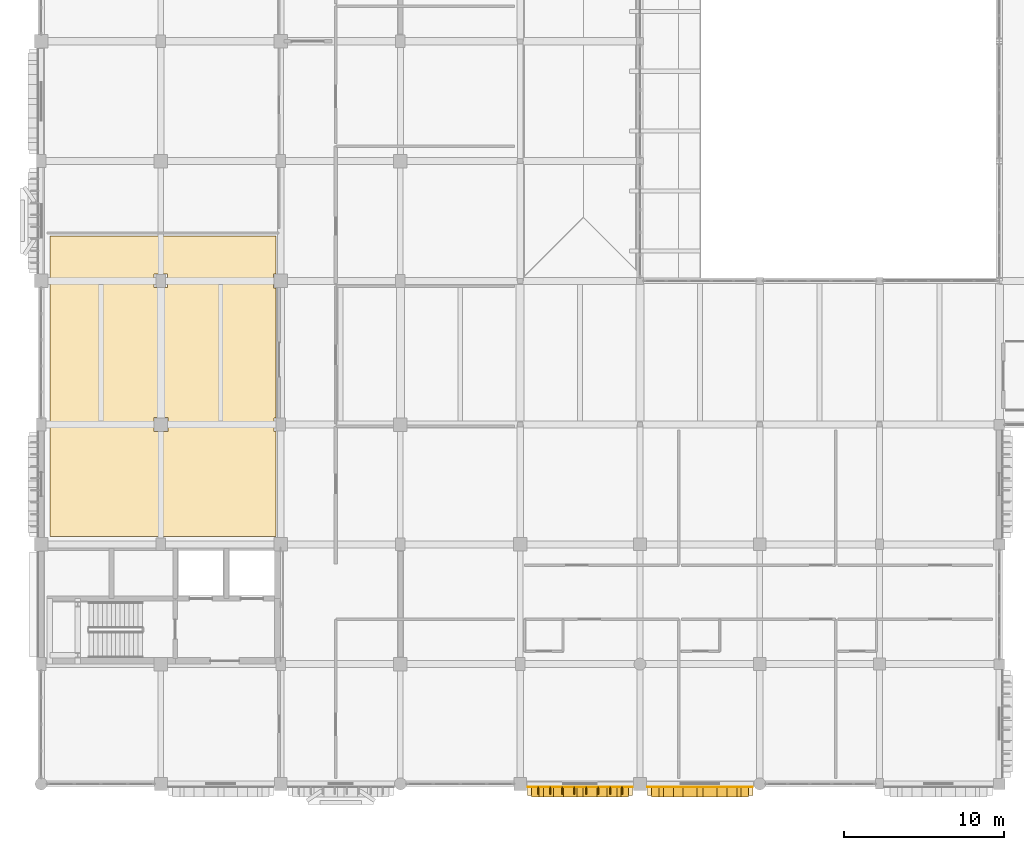
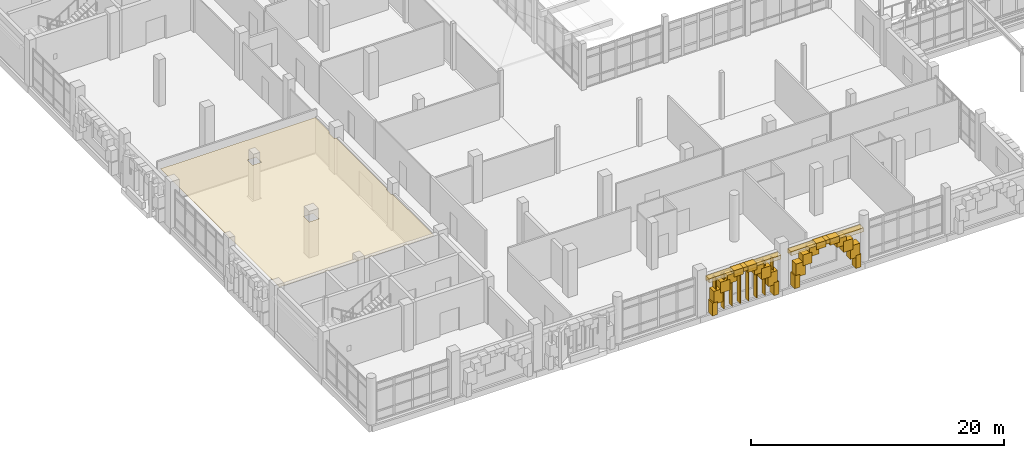
# One storey, part 108 of 128: 27 coverings, 8 shading devices.
"""IFC4 building model written with IfcOpenShell, lengths in metres."""

from ifc_helpers import new_model, si_unit, direction, frame, origin, origin_2d, place, context, subcontext, project, spatial, polyline, rectangle, outline, extrude, material, layer, layer_set, type_object, element, save


model = new_model("IFC4")

# Units and contexts
model_context = context("Model", 3, precision=1e-05, world=origin(), true_north=direction((0.0, 1.0)))
body_context = subcontext(model_context, "Body", "Model", "MODEL_VIEW")
ifc_project = project(units=[si_unit("LENGTHUNIT", "METRE"), si_unit("AREAUNIT", "SQUARE_METRE"), si_unit("VOLUMEUNIT", "CUBIC_METRE"), si_unit("PLANEANGLEUNIT", "RADIAN"), si_unit("MASSUNIT", "GRAM", prefix="KILO")], contexts=[model_context])

# Site, building, storey
site_placement = place(None, origin())
site = spatial("IfcSite", under=ifc_project, at=site_placement, CompositionType="ELEMENT")
building_placement = place(site_placement, origin())
building = spatial("IfcBuilding", under=site, at=building_placement, Name="Dalvernix Boulevard General Hospital", CompositionType="ELEMENT")
storey_placement = place(building_placement, frame((0.0, 0.0, 4.800048828125)))
storey = spatial("IfcBuildingStorey", under=building, at=storey_placement, Name="L01", CompositionType="ELEMENT", Elevation=4.800048828125)

# Coverings
ifc_material_1 = material(Name="Pressed Catalan clay brick and dressed limestone parabolic archivolt", Category="masonry")
ifc_layer_1 = layer(ifc_material_1, 0.419921875)
ifc_layer_set_1 = layer_set([ifc_layer_1], Name="Pressed Catalan clay brick and dressed limestone parabolic archivolt (COV-ARC-01)")
covering_type_1 = type_object("IfcCoveringType", Name="COV-ARC-01", PredefinedType="CLADDING", material=ifc_layer_set_1)
for number, where, z_axis, x_axis, name in (
    (1, (36.550048828125, -0.485107421875, 0.0), (0.0, 0.0, 1.0), (-1.0, 0.0, 0.0), "L01 Catalan parabolic arch impost pier S 4-0-L"),
    (2, (30.949951171875, -0.485107421875, 0.0), (0.0, 0.0, 1.0), (-1.0, 0.0, 0.0), "L01 Catalan parabolic arch impost pier S 4-0-R"),
):
    element("IfcCovering", number, at=place(storey_placement, frame(where, z_axis=z_axis, x_axis=x_axis)), inside=storey, type_object=covering_type_1, Name=name, PredefinedType="CLADDING", context=body_context, shape_type="SweptSolid", body=[
        extrude(rectangle(XDim=0.4599609375, YDim=0.659912109375, at=origin_2d()), origin(), (0.0, 0.0, 1.0), 1.25),
    ])
covering_1_placement = place(storey_placement, frame((36.239013671875, -0.485107421875, 1.06005859375), z_axis=(0.0, 0.0, 1.0), x_axis=(-1.0, 0.0, 0.0)))
element("IfcCovering", 3, at=covering_1_placement, inside=storey, type_object=covering_type_1, Name="L01 Catalan parabolic archivolt voussoir S 4-0-1", PredefinedType="CLADDING", context=body_context, shape_type="SweptSolid", body=[
    extrude(rectangle(XDim=0.8623046875, YDim=0.659912109375, at=origin_2d()), origin(), (0.0, 0.0, 1.0), 1.272705078125),
])
covering_2_placement = place(storey_placement, frame((35.61669921875, -0.485107421875, 1.95263671875), z_axis=(0.0, 0.0, 1.0), x_axis=(-1.0, 0.0, 0.0)))
element("IfcCovering", 4, at=covering_2_placement, inside=storey, type_object=covering_type_1, Name="L01 Catalan parabolic archivolt voussoir S 4-0-2", PredefinedType="CLADDING", context=body_context, shape_type="SweptSolid", body=[
    extrude(rectangle(XDim=0.8623046875, YDim=0.659912109375, at=origin_2d()), origin(), (0.0, 0.0, 1.0), 1.049560546875),
])
covering_3_placement = place(storey_placement, frame((34.994384765625, -0.485107421875, 2.62255859375), z_axis=(0.0, 0.0, 1.0), x_axis=(-1.0, 0.0, 0.0)))
element("IfcCovering", 5, at=covering_3_placement, inside=storey, type_object=covering_type_1, Name="L01 Catalan parabolic archivolt voussoir S 4-0-3", PredefinedType="CLADDING", context=body_context, shape_type="SweptSolid", body=[
    extrude(rectangle(XDim=0.8623046875, YDim=0.659912109375, at=origin_2d()), origin(), (0.0, 0.0, 1.0), 0.826416015625),
])
covering_4_placement = place(storey_placement, frame((34.372314453125, -0.485107421875, 3.06884765625), z_axis=(0.0, 0.0, 1.0), x_axis=(-1.0, 0.0, 0.0)))
element("IfcCovering", 6, at=covering_4_placement, inside=storey, type_object=covering_type_1, Name="L01 Catalan parabolic archivolt voussoir S 4-0-4", PredefinedType="CLADDING", context=body_context, shape_type="SweptSolid", body=[
    extrude(rectangle(XDim=0.8623046875, YDim=0.659912109375, at=origin_2d()), origin(), (0.0, 0.0, 1.0), 0.603271484375),
])
covering_5_placement = place(storey_placement, frame((33.75, -0.485107421875, 3.2919921875), z_axis=(0.0, 0.0, 1.0), x_axis=(-1.0, 0.0, 0.0)))
element("IfcCovering", 7, at=covering_5_placement, inside=storey, type_object=covering_type_1, Name="L01 Catalan parabolic archivolt voussoir S 4-0-5", PredefinedType="CLADDING", context=body_context, shape_type="SweptSolid", body=[
    extrude(rectangle(XDim=0.8623046875, YDim=0.659912109375, at=origin_2d()), origin(), (0.0, 0.0, 1.0), 0.3798828125),
])
covering_6_placement = place(storey_placement, frame((33.127685546875, -0.485107421875, 3.06884765625), z_axis=(0.0, 0.0, 1.0), x_axis=(-1.0, 0.0, 0.0)))
element("IfcCovering", 8, at=covering_6_placement, inside=storey, type_object=covering_type_1, Name="L01 Catalan parabolic archivolt voussoir S 4-0-6", PredefinedType="CLADDING", context=body_context, shape_type="SweptSolid", body=[
    extrude(rectangle(XDim=0.8623046875, YDim=0.659912109375, at=origin_2d()), origin(), (0.0, 0.0, 1.0), 0.603271484375),
])
covering_7_placement = place(storey_placement, frame((32.505615234375, -0.485107421875, 2.62255859375), z_axis=(0.0, 0.0, 1.0), x_axis=(-1.0, 0.0, 0.0)))
element("IfcCovering", 9, at=covering_7_placement, inside=storey, type_object=covering_type_1, Name="L01 Catalan parabolic archivolt voussoir S 4-0-7", PredefinedType="CLADDING", context=body_context, shape_type="SweptSolid", body=[
    extrude(rectangle(XDim=0.8623046875, YDim=0.659912109375, at=origin_2d()), origin(), (0.0, 0.0, 1.0), 0.826416015625),
])
covering_8_placement = place(storey_placement, frame((31.88330078125, -0.485107421875, 1.95263671875), z_axis=(0.0, 0.0, 1.0), x_axis=(-1.0, 0.0, 0.0)))
element("IfcCovering", 10, at=covering_8_placement, inside=storey, type_object=covering_type_1, Name="L01 Catalan parabolic archivolt voussoir S 4-0-8", PredefinedType="CLADDING", context=body_context, shape_type="SweptSolid", body=[
    extrude(rectangle(XDim=0.8623046875, YDim=0.659912109375, at=origin_2d()), origin(), (0.0, 0.0, 1.0), 1.049560546875),
])
covering_9_placement = place(storey_placement, frame((31.260986328125, -0.485107421875, 1.06005859375), z_axis=(0.0, 0.0, 1.0), x_axis=(-1.0, 0.0, 0.0)))
element("IfcCovering", 11, at=covering_9_placement, inside=storey, type_object=covering_type_1, Name="L01 Catalan parabolic archivolt voussoir S 4-0-9", PredefinedType="CLADDING", context=body_context, shape_type="SweptSolid", body=[
    extrude(rectangle(XDim=0.8623046875, YDim=0.659912109375, at=origin_2d()), origin(), (0.0, 0.0, 1.0), 1.272705078125),
])
for number, where, z_axis, x_axis, name in (
    (12, (44.0625, -0.485107421875, 0.0), (0.0, 0.0, 1.0), (-1.0, 0.0, 0.0), "L01 Catalan parabolic arch impost pier S 5-0-L"),
    (13, (38.46240234375, -0.485107421875, 0.0), (0.0, 0.0, 1.0), (-1.0, 0.0, 0.0), "L01 Catalan parabolic arch impost pier S 5-0-R"),
):
    element("IfcCovering", number, at=place(storey_placement, frame(where, z_axis=z_axis, x_axis=x_axis)), inside=storey, type_object=covering_type_1, Name=name, PredefinedType="CLADDING", context=body_context, shape_type="SweptSolid", body=[
        extrude(rectangle(XDim=0.4599609375, YDim=0.659912109375, at=origin_2d()), origin(), (0.0, 0.0, 1.0), 1.25),
    ])
covering_10_placement = place(storey_placement, frame((43.75146484375, -0.485107421875, 1.06005859375), z_axis=(0.0, 0.0, 1.0), x_axis=(-1.0, 0.0, 0.0)))
element("IfcCovering", 14, at=covering_10_placement, inside=storey, type_object=covering_type_1, Name="L01 Catalan parabolic archivolt voussoir S 5-0-1", PredefinedType="CLADDING", context=body_context, shape_type="SweptSolid", body=[
    extrude(rectangle(XDim=0.8623046875, YDim=0.659912109375, at=origin_2d()), origin(), (0.0, 0.0, 1.0), 1.272705078125),
])
covering_11_placement = place(storey_placement, frame((43.129150390625, -0.485107421875, 1.95263671875), z_axis=(0.0, 0.0, 1.0), x_axis=(-1.0, 0.0, 0.0)))
element("IfcCovering", 15, at=covering_11_placement, inside=storey, type_object=covering_type_1, Name="L01 Catalan parabolic archivolt voussoir S 5-0-2", PredefinedType="CLADDING", context=body_context, shape_type="SweptSolid", body=[
    extrude(rectangle(XDim=0.8623046875, YDim=0.659912109375, at=origin_2d()), origin(), (0.0, 0.0, 1.0), 1.049560546875),
])
covering_12_placement = place(storey_placement, frame((42.5068359375, -0.485107421875, 2.62255859375), z_axis=(0.0, 0.0, 1.0), x_axis=(-1.0, 0.0, 0.0)))
element("IfcCovering", 16, at=covering_12_placement, inside=storey, type_object=covering_type_1, Name="L01 Catalan parabolic archivolt voussoir S 5-0-3", PredefinedType="CLADDING", context=body_context, shape_type="SweptSolid", body=[
    extrude(rectangle(XDim=0.8623046875, YDim=0.659912109375, at=origin_2d()), origin(), (0.0, 0.0, 1.0), 0.826416015625),
])
covering_13_placement = place(storey_placement, frame((41.884765625, -0.485107421875, 3.06884765625), z_axis=(0.0, 0.0, 1.0), x_axis=(-1.0, 0.0, 0.0)))
element("IfcCovering", 17, at=covering_13_placement, inside=storey, type_object=covering_type_1, Name="L01 Catalan parabolic archivolt voussoir S 5-0-4", PredefinedType="CLADDING", context=body_context, shape_type="SweptSolid", body=[
    extrude(rectangle(XDim=0.8623046875, YDim=0.659912109375, at=origin_2d()), origin(), (0.0, 0.0, 1.0), 0.603271484375),
])
covering_14_placement = place(storey_placement, frame((41.262451171875, -0.485107421875, 3.2919921875), z_axis=(0.0, 0.0, 1.0), x_axis=(-1.0, 0.0, 0.0)))
element("IfcCovering", 18, at=covering_14_placement, inside=storey, type_object=covering_type_1, Name="L01 Catalan parabolic archivolt voussoir S 5-0-5", PredefinedType="CLADDING", context=body_context, shape_type="SweptSolid", body=[
    extrude(rectangle(XDim=0.8623046875, YDim=0.659912109375, at=origin_2d()), origin(), (0.0, 0.0, 1.0), 0.3798828125),
])
covering_15_placement = place(storey_placement, frame((40.640380859375, -0.485107421875, 3.06884765625), z_axis=(0.0, 0.0, 1.0), x_axis=(-1.0, 0.0, 0.0)))
element("IfcCovering", 19, at=covering_15_placement, inside=storey, type_object=covering_type_1, Name="L01 Catalan parabolic archivolt voussoir S 5-0-6", PredefinedType="CLADDING", context=body_context, shape_type="SweptSolid", body=[
    extrude(rectangle(XDim=0.8623046875, YDim=0.659912109375, at=origin_2d()), origin(), (0.0, 0.0, 1.0), 0.603271484375),
])
covering_16_placement = place(storey_placement, frame((40.01806640625, -0.485107421875, 2.62255859375), z_axis=(0.0, 0.0, 1.0), x_axis=(-1.0, 0.0, 0.0)))
element("IfcCovering", 20, at=covering_16_placement, inside=storey, type_object=covering_type_1, Name="L01 Catalan parabolic archivolt voussoir S 5-0-7", PredefinedType="CLADDING", context=body_context, shape_type="SweptSolid", body=[
    extrude(rectangle(XDim=0.8623046875, YDim=0.659912109375, at=origin_2d()), origin(), (0.0, 0.0, 1.0), 0.826416015625),
])
covering_17_placement = place(storey_placement, frame((39.395751953125, -0.485107421875, 1.95263671875), z_axis=(0.0, 0.0, 1.0), x_axis=(-1.0, 0.0, 0.0)))
element("IfcCovering", 21, at=covering_17_placement, inside=storey, type_object=covering_type_1, Name="L01 Catalan parabolic archivolt voussoir S 5-0-8", PredefinedType="CLADDING", context=body_context, shape_type="SweptSolid", body=[
    extrude(rectangle(XDim=0.8623046875, YDim=0.659912109375, at=origin_2d()), origin(), (0.0, 0.0, 1.0), 1.049560546875),
])
covering_18_placement = place(storey_placement, frame((38.773681640625, -0.485107421875, 1.06005859375), z_axis=(0.0, 0.0, 1.0), x_axis=(-1.0, 0.0, 0.0)))
element("IfcCovering", 22, at=covering_18_placement, inside=storey, type_object=covering_type_1, Name="L01 Catalan parabolic archivolt voussoir S 5-0-9", PredefinedType="CLADDING", context=body_context, shape_type="SweptSolid", body=[
    extrude(rectangle(XDim=0.8623046875, YDim=0.659912109375, at=origin_2d()), origin(), (0.0, 0.0, 1.0), 1.272705078125),
])
ifc_material_2 = material(Name="Antimicrobial acoustic mineral-fibre suspended ceiling")
ifc_layer_2 = layer(ifc_material_2, 0.02490234375)
ifc_layer_set_2 = layer_set([ifc_layer_2], Name="Antimicrobial acoustic mineral-fibre suspended ceiling (COV-CEIL-01)")
covering_type_2 = type_object("IfcCoveringType", Name="COV-CEIL-01", PredefinedType="CEILING", material=ifc_layer_set_2)
covering_19_placement = place(storey_placement, frame((0.0, 0.0, 3.474853515625)))
element("IfcCovering", 23, at=covering_19_placement, inside=storey, type_object=covering_type_2, Name="L01 Medical Lecture Auditorium hygienic suspended ceiling", PredefinedType="CEILING", context=body_context, shape_type="SweptSolid", body=[
    extrude(outline(polyline([(14.699951171875, 31.945068359375), (14.554931640625, 31.945068359375), (14.554931640625, 31.054931640625), (14.699951171875, 31.054931640625), (14.699951171875, 22.919921875), (14.580078125, 22.919921875), (14.580078125, 22.080078125), (14.699951171875, 22.080078125), (14.699951171875, 15.5), (0.550048828125, 15.5), (0.550048828125, 34.300048828125), (14.699951171875, 34.300048828125), (14.699951171875, 31.945068359375)]), holes=[polyline([(7.945068359375, 22.054931640625), (7.945068359375, 22.945068359375), (7.054931640625, 22.945068359375), (7.054931640625, 22.054931640625), (7.945068359375, 22.054931640625)]), polyline([(7.080078125, 31.080078125), (7.919921875, 31.080078125), (7.919921875, 31.919921875), (7.080078125, 31.919921875), (7.080078125, 31.080078125)])]), origin(), (0.0, 0.0, 1.0), 0.025146484375),
])
ifc_material_3 = material(Name="Polychrome Catalan glazed ceramic spandrel tile panel")
ifc_layer_3 = layer(ifc_material_3, 0.044921875)
ifc_layer_set_3 = layer_set([ifc_layer_3], Name="Polychrome Catalan glazed ceramic spandrel tile panel (COV-CLD-01)")
covering_type_3 = type_object("IfcCoveringType", Name="COV-CLD-01", PredefinedType="CLADDING", material=ifc_layer_set_3)
covering_20_placement = place(storey_placement, frame((33.75, -0.195068359375, 3.15478515625), z_axis=(0.0, 0.0, 1.0), x_axis=(-1.0, 0.0, 0.0)))
element("IfcCovering", 24, at=covering_20_placement, inside=storey, type_object=covering_type_3, Name="L01 polychrome ceramic spandrel S 4-0", PredefinedType="CLADDING", context=body_context, shape_type="SweptSolid", body=[
    extrude(rectangle(XDim=6.580078125, YDim=0.044921875, at=origin_2d()), origin(), (0.0, 0.0, 1.0), 0.449951171875),
])
covering_21_placement = place(storey_placement, frame((41.262451171875, -0.195068359375, 3.15478515625), z_axis=(0.0, 0.0, 1.0), x_axis=(-1.0, 0.0, 0.0)))
element("IfcCovering", 25, at=covering_21_placement, inside=storey, type_object=covering_type_3, Name="L01 polychrome ceramic spandrel S 5-0", PredefinedType="CLADDING", context=body_context, shape_type="SweptSolid", body=[
    extrude(rectangle(XDim=6.60498046875, YDim=0.044921875, at=origin_2d()), origin(), (0.0, 0.0, 1.0), 0.449951171875),
])
ifc_material_4 = material(Name="Dressed ochre limestone classical plinth, stringcourse and corbelled cornice", Category="masonry")
ifc_layer_4 = layer(ifc_material_4, 0.449951171875)
ifc_layer_set_4 = layer_set([ifc_layer_4], Name="Dressed ochre limestone classical plinth, stringcourse and corbelled cornice (COV-CRN-01)")
covering_type_4 = type_object("IfcCoveringType", Name="COV-CRN-01", PredefinedType="CLADDING", material=ifc_layer_set_4)
covering_22_placement = place(storey_placement, frame((33.75, -0.43505859375, 3.22998046875), z_axis=(0.0, 0.0, 1.0), x_axis=(-1.0, 0.0, 0.0)))
element("IfcCovering", 26, at=covering_22_placement, inside=storey, type_object=covering_type_4, Name="L01 classical corbelled cornice frieze S 4-0", PredefinedType="CLADDING", context=body_context, shape_type="SweptSolid", body=[
    extrude(rectangle(XDim=6.580078125, YDim=0.56005859375, at=origin_2d()), origin(), (0.0, 0.0, 1.0), 0.39990234375),
])
covering_23_placement = place(storey_placement, frame((41.262451171875, -0.43505859375, 3.22998046875), z_axis=(0.0, 0.0, 1.0), x_axis=(-1.0, 0.0, 0.0)))
element("IfcCovering", 27, at=covering_23_placement, inside=storey, type_object=covering_type_4, Name="L01 classical corbelled cornice frieze S 5-0", PredefinedType="CLADDING", context=body_context, shape_type="SweptSolid", body=[
    extrude(rectangle(XDim=6.60498046875, YDim=0.56005859375, at=origin_2d()), origin(), (0.0, 0.0, 1.0), 0.39990234375),
])

# Shading devices
ifc_material_5 = material(Name="Preservative-treated West African iroko timber", Category="wood")
shading_device_type = type_object("IfcShadingDeviceType", Name="SHD-FIN-01", PredefinedType="USERDEFINED", material=ifc_material_5)
for number, where, z_axis, x_axis, name in (
    (28, (36.375, -0.405029296875, 0.1748046875), (0.0, 0.0, 1.0), (-1.0, 0.0, 0.0), "L01 iroko brise-soleil fin 1"),
    (29, (35.625, -0.405029296875, 0.1748046875), (0.0, 0.0, 1.0), (-1.0, 0.0, 0.0), "L01 iroko brise-soleil fin 2"),
    (30, (34.875, -0.405029296875, 0.1748046875), (0.0, 0.0, 1.0), (-1.0, 0.0, 0.0), "L01 iroko brise-soleil fin 3"),
    (31, (34.125, -0.405029296875, 0.1748046875), (0.0, 0.0, 1.0), (-1.0, 0.0, 0.0), "L01 iroko brise-soleil fin 4"),
    (32, (33.375, -0.405029296875, 0.1748046875), (0.0, 0.0, 1.0), (-1.0, 0.0, 0.0), "L01 iroko brise-soleil fin 5"),
    (33, (32.625, -0.405029296875, 0.1748046875), (0.0, 0.0, 1.0), (-1.0, 0.0, 0.0), "L01 iroko brise-soleil fin 6"),
    (34, (31.875, -0.405029296875, 0.1748046875), (0.0, 0.0, 1.0), (-1.0, 0.0, 0.0), "L01 iroko brise-soleil fin 7"),
    (35, (31.125, -0.405029296875, 0.1748046875), (0.0, 0.0, 1.0), (-1.0, 0.0, 0.0), "L01 iroko brise-soleil fin 8"),
):
    element("IfcShadingDevice", number, at=place(storey_placement, frame(where, z_axis=z_axis, x_axis=x_axis)), inside=storey, type_object=shading_device_type, Name=name, ObjectType="FIN", PredefinedType="USERDEFINED", context=body_context, shape_type="SweptSolid", body=[
        extrude(rectangle(XDim=0.06494140625, YDim=0.47998046875, at=origin_2d()), origin(), (0.0, 0.0, 1.0), 3.280029296875),
    ])

save(model, "model.ifc")
